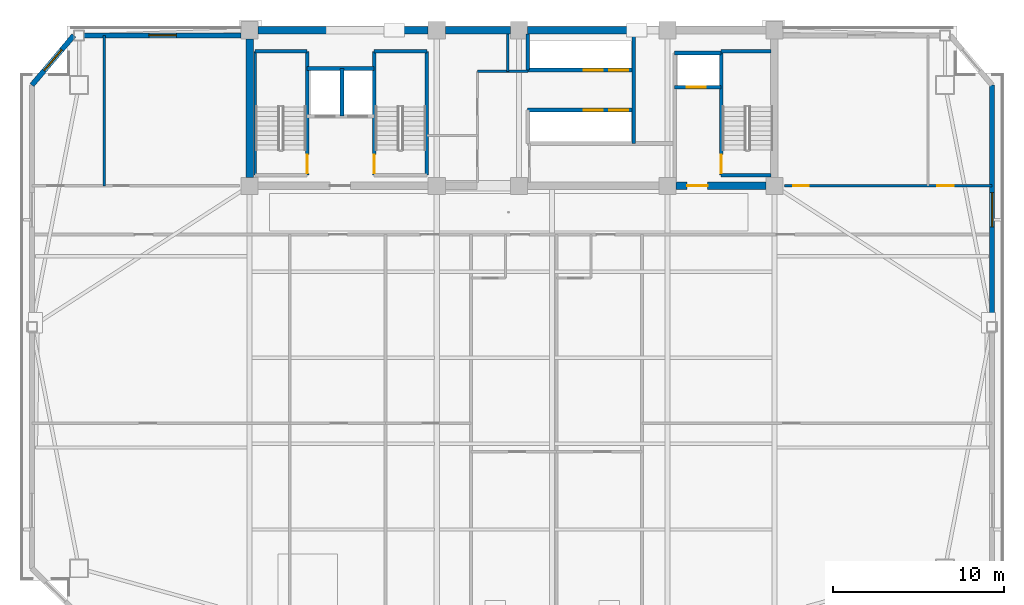
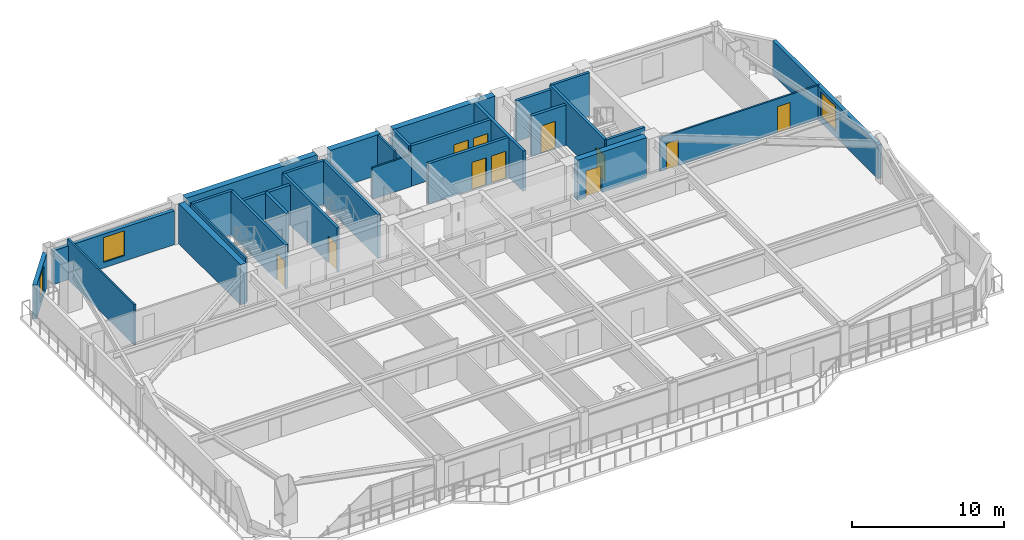
# One storey, part 10 of 17: 29 walls, 11 doors, 3 windows, 14 openings.
"""IFC4 building model written with IfcOpenShell, lengths in metres."""

from ifc_helpers import new_model, si_unit, direction, frame, frame_2d, origin, place, context, subcontext, project, spatial, rectangle, extrude, source, transform, mapped, material, layer, layer_set, type_object, element, fill, save


model = new_model("IFC4")

# Units and contexts
model_context = context("Model", 3, precision=1e-05, world=origin(), true_north=direction((0.0, 1.0)))
body_context = subcontext(model_context, "Body", "Model", "MODEL_VIEW")
ifc_project = project(units=[si_unit("LENGTHUNIT", "METRE"), si_unit("AREAUNIT", "SQUARE_METRE"), si_unit("VOLUMEUNIT", "CUBIC_METRE"), si_unit("PLANEANGLEUNIT", "RADIAN"), si_unit("MASSUNIT", "GRAM", prefix="KILO")], contexts=[model_context])

# Site, building, storey
site_placement = place(None, origin())
site = spatial("IfcSite", under=ifc_project, at=site_placement, CompositionType="ELEMENT")
building_placement = place(site_placement, origin())
building = spatial("IfcBuilding", under=site, at=building_placement, Name="Giltprow Tower", CompositionType="ELEMENT")
storey_placement = place(building_placement, frame((0.0, 0.0, 216.699951171875)))
storey = spatial("IfcBuildingStorey", under=building, at=storey_placement, Name="L55", CompositionType="ELEMENT", Elevation=216.699951171875)

# Wall, opening, window
ifc_material_1 = material(Name="Precast concrete C40", Category="concrete")
ifc_layer_1 = layer(ifc_material_1, 0.300048828125, Name="Precast concrete C40")
ifc_layer_set_1 = layer_set([ifc_layer_1], Name="Precast concrete C40")
wall_type_1 = type_object("IfcWallType", Name="EW-NOTCH-CHAMFER-300", PredefinedType="SOLIDWALL", material=ifc_layer_set_1)
wall_1_placement = place(storey_placement, frame((9.572021484375, 46.25, 0.0), z_axis=(0.0, 0.0, 1.0), x_axis=(-0.645455651603, -0.763797749286, 0.0)))
wall_1 = element("IfcWall", 1, at=wall_1_placement, inside=storey, type_object=wall_type_1, Name="L55 Corner Notch Wall NW", PredefinedType="SOLIDWALL", context=body_context, shape_type="SweptSolid", body=[
    extrude(rectangle(XDim=3.802001953125, YDim=0.300048828125, at=frame_2d((1.90087890625, 0.0))), origin(), (0.0, 0.0, 1.0), 2.719970703125),
])
opening_1_placement = place(wall_1_placement, frame((1.10107421875, 0.0, 0.449951171875)))
opening_1 = element("IfcOpeningElement", 2, at=opening_1_placement, cuts=wall_1, Name="Opening WN17", PredefinedType="OPENING", context=body_context, shape_type="SweptSolid", body=[
    extrude(rectangle(XDim=1.60009765625, YDim=2.0, at=frame_2d((0.800048828125, 1.0))), frame((0.0, 0.159912109375, 0.0), z_axis=(0.0, -1.0, 0.0), x_axis=(1.0, 0.0, 0.0)), (0.0, 0.0, 1.0), 0.320068359375),
])
ifc_material_2 = material(Name="Insulated glass", Category="glass")
window_type_1 = type_object("IfcWindowType", Name="WN-COR-1600x2000", PartitioningType="SINGLE_PANEL", PredefinedType="WINDOW", material=ifc_material_2)
shared_shape_1 = source(origin(), body_context, "Body", "SweptSolid", [
    extrude(rectangle(XDim=1.60009765625, YDim=2.0, at=frame_2d((0.800048828125, 1.0))), frame((0.0, 0.030029296875, 0.0), z_axis=(0.0, -1.0, 0.0), x_axis=(1.0, 0.0, 0.0)), (0.0, 0.0, 1.0), 0.06005859375),
])
window_1_placement = place(opening_1_placement, origin())
window_1 = element("IfcWindow", 3, at=window_1_placement, inside=storey, type_object=window_type_1, Name="L55 Corner Notch Window NW", OverallHeight=2.0, OverallWidth=1.60009765625, PartitioningType="SINGLE_PANEL", PredefinedType="WINDOW", context=body_context, shape_type="MappedRepresentation", body=[
    mapped(shared_shape_1, transform((0.0, 0.0, 0.0), x_axis=(1.0, 0.0, 0.0), y_axis=(0.0, 1.0, 0.0), z_axis=(0.0, 0.0, 1.0), scale=1.0)),
])
fill(opening_1, window_1)

ifc_layer_2 = layer(ifc_material_1, 0.280029296875, Name="Precast concrete C40")
ifc_layer_set_2 = layer_set([ifc_layer_2], Name="Precast concrete C40")
wall_type_2 = type_object("IfcWallType", Name="EW-TOW-BRONZE-280", PredefinedType="SOLIDWALL", material=ifc_layer_set_2)
wall_2_placement = place(storey_placement, frame((63.281982421875, 29.509033203125, 0.0), z_axis=(0.0, 0.0, 1.0), x_axis=(0.0, 1.0, 0.0)))
wall_2 = element("IfcWall", 4, at=wall_2_placement, inside=storey, type_object=wall_type_2, Name="L55 E Wing Masonry Wall 2", PredefinedType="SOLIDWALL", context=body_context, shape_type="SweptSolid", body=[
    extrude(rectangle(XDim=13.8369140625, YDim=0.280029296875, at=frame_2d((6.91845703125, 0.0))), origin(), (0.0, 0.0, 1.0), 2.719970703125),
])
opening_2_placement = place(wall_2_placement, frame((5.535888671875, 0.0, 0.449951171875)))
opening_2 = element("IfcOpeningElement", 5, at=opening_2_placement, cuts=wall_2, Name="Opening WN21", PredefinedType="OPENING", context=body_context, shape_type="SweptSolid", body=[
    extrude(rectangle(XDim=2.0, YDim=2.0, at=frame_2d((1.0, 1.0))), frame((0.0, 0.14990234375, 0.0), z_axis=(0.0, -1.0, 0.0), x_axis=(1.0, 0.0, 0.0)), (0.0, 0.0, 1.0), 0.300048828125),
])
window_type_2 = type_object("IfcWindowType", Name="WN-HTL-2000x2000", PartitioningType="DOUBLE_PANEL_VERTICAL", PredefinedType="WINDOW", material=ifc_material_2)
shared_shape_2 = source(origin(), body_context, "Body", "SweptSolid", [
    extrude(rectangle(XDim=2.0, YDim=2.0, at=frame_2d((1.0, 1.0))), frame((0.0, 0.030029296875, 0.0), z_axis=(0.0, -1.0, 0.0), x_axis=(1.0, 0.0, 0.0)), (0.0, 0.0, 1.0), 0.06005859375),
])
window_2_placement = place(opening_2_placement, origin())
window_2 = element("IfcWindow", 6, at=window_2_placement, inside=storey, type_object=window_type_2, Name="L55 E Wing Window 2-1", OverallHeight=2.0, OverallWidth=2.0, PartitioningType="SINGLE_PANEL", PredefinedType="WINDOW", context=body_context, shape_type="MappedRepresentation", body=[
    mapped(shared_shape_2, transform((0.0, 0.0, 0.0), x_axis=(1.0, 0.0, 0.0), y_axis=(0.0, 1.0, 0.0), z_axis=(0.0, 0.0, 1.0), scale=1.0)),
])
fill(opening_2, window_2)

wall_3_placement = place(storey_placement, frame((10.172119140625, 46.25, 0.0), z_axis=(0.0, 0.0, 1.0), x_axis=(1.0, 0.0, 0.0)))
wall_3 = element("IfcWall", 7, at=wall_3_placement, inside=storey, type_object=wall_type_2, Name="L55 North-West Wing Wall", PredefinedType="SOLIDWALL", context=body_context, shape_type="SweptSolid", body=[
    extrude(rectangle(XDim=9.177978515625, YDim=0.280029296875, at=frame_2d((4.5888671875, 0.0))), origin(), (0.0, 0.0, 1.0), 2.719970703125),
])
opening_3_placement = place(wall_3_placement, frame((3.7890625, 0.0, 0.449951171875)))
opening_3 = element("IfcOpeningElement", 8, at=opening_3_placement, cuts=wall_3, Name="Opening WN17", PredefinedType="OPENING", context=body_context, shape_type="SweptSolid", body=[
    extrude(rectangle(XDim=1.60009765625, YDim=2.0, at=frame_2d((0.800048828125, 1.0))), frame((0.0, 0.14990234375, 0.0), z_axis=(0.0, -1.0, 0.0), x_axis=(1.0, 0.0, 0.0)), (0.0, 0.0, 1.0), 0.300048828125),
])
window_3_placement = place(opening_3_placement, origin())
window_3 = element("IfcWindow", 9, at=window_3_placement, inside=storey, type_object=window_type_1, Name="L55 North-West Window", OverallHeight=2.0, OverallWidth=1.60009765625, PartitioningType="SINGLE_PANEL", PredefinedType="WINDOW", context=body_context, shape_type="MappedRepresentation", body=[
    mapped(shared_shape_1, transform((0.0, 0.0, 0.0), x_axis=(1.0, 0.0, 0.0), y_axis=(0.0, 1.0, 0.0), z_axis=(0.0, 0.0, 1.0), scale=1.0)),
])
fill(opening_3, window_3)

# Walls
ifc_material_3 = material(Name="Concrete C40", Category="concrete")
ifc_layer_3 = layer(ifc_material_3, 0.219970703125, Name="Concrete C40")
ifc_layer_set_3 = layer_set([ifc_layer_3], Name="Concrete C40")
wall_type_3 = type_object("IfcWallType", Name="IW-SHAFT-220", PredefinedType="SOLIDWALL", material=ifc_layer_set_3)
wall_4_placement = place(storey_placement, frame((25.260009765625, 41.52001953125, 0.0), z_axis=(0.0, 0.0, 1.0), x_axis=(0.0, 1.0, 0.0)))
element("IfcWall", 10, at=wall_4_placement, inside=storey, type_object=wall_type_3, Name="L55 FFL1-SVL1 Shaft Divider", PredefinedType="SOLIDWALL", context=body_context, shape_type="SweptSolid", body=[
    extrude(rectangle(XDim=2.800048828125, YDim=0.219970703125, at=frame_2d((1.39990234375, 0.0))), origin(), (0.0, 0.0, 1.0), 3.239990234375),
])
wall_5_placement = place(storey_placement, frame((23.219970703125, 44.320068359375, 0.0), z_axis=(0.0, 0.0, 1.0), x_axis=(1.0, 0.0, 0.0)))
element("IfcWall", 11, at=wall_5_placement, inside=storey, type_object=wall_type_3, Name="L55 FFL1-SVL1 Back Shaft Wall", PredefinedType="SOLIDWALL", context=body_context, shape_type="SweptSolid", body=[
    extrude(rectangle(XDim=3.919921875, YDim=0.219970703125, at=frame_2d((1.9599609375, 0.0))), origin(), (0.0, 0.0, 1.0), 3.239990234375),
])

# Wall, opening, door
wall_6_placement = place(storey_placement, frame((44.719970703125, 43.219970703125, 0.0), z_axis=(0.0, 0.0, 1.0), x_axis=(1.0, 0.0, 0.0)))
wall_6 = element("IfcWall", 12, at=wall_6_placement, inside=storey, type_object=wall_type_3, Name="L55 FFL2 Front Shaft Wall", PredefinedType="SOLIDWALL", context=body_context, shape_type="SweptSolid", body=[
    extrude(rectangle(XDim=2.719970703125, YDim=0.219970703125, at=frame_2d((1.35986328125, 0.0))), origin(), (0.0, 0.0, 1.0), 3.239990234375),
])
opening_4_placement = place(wall_6_placement, frame((0.699951171875, 0.0, 0.0)))
opening_4 = element("IfcOpeningElement", 13, at=opening_4_placement, cuts=wall_6, Name="Opening LD-11", PredefinedType="OPENING", context=body_context, shape_type="SweptSolid", body=[
    extrude(rectangle(XDim=1.10009765625, YDim=2.199951171875, at=frame_2d((0.550048828125, 1.10009765625))), frame((0.0, 0.119873046875, 0.0), z_axis=(0.0, -1.0, 0.0), x_axis=(1.0, 0.0, 0.0)), (0.0, 0.0, 1.0), 0.239990234375),
])
ifc_material_4 = material(Name="Stainless steel", Category="steel")
door_type_1 = type_object("IfcDoorType", Name="DR-LIFT-LD1100", OperationType="SLIDING_TO_LEFT", PredefinedType="DOOR", material=ifc_material_4)
shared_shape_3 = source(origin(), body_context, "Body", "SweptSolid", [
    extrude(rectangle(XDim=1.10009765625, YDim=2.199951171875, at=frame_2d((0.550048828125, 1.10009765625))), frame((0.0, 0.02490234375, 0.0), z_axis=(0.0, -1.0, 0.0), x_axis=(1.0, 0.0, 0.0)), (0.0, 0.0, 1.0), 0.050048828125),
])
door_1_placement = place(opening_4_placement, origin())
door_1 = element("IfcDoor", 14, at=door_1_placement, inside=storey, type_object=door_type_1, Name="L55 FFL2 Landing Door", OperationType="SLIDING_TO_LEFT", OverallHeight=2.199951171875, OverallWidth=1.10009765625, PredefinedType="DOOR", context=body_context, shape_type="MappedRepresentation", body=[
    mapped(shared_shape_3, transform((0.0, 0.0, 0.0), x_axis=(1.0, 0.0, 0.0), y_axis=(0.0, 1.0, 0.0), z_axis=(0.0, 0.0, 1.0), scale=1.0)),
])
fill(opening_4, door_1)

# Wall
wall_7_placement = place(storey_placement, frame((44.719970703125, 45.219970703125, 0.0), z_axis=(0.0, 0.0, 1.0), x_axis=(1.0, 0.0, 0.0)))
element("IfcWall", 15, at=wall_7_placement, inside=storey, type_object=wall_type_3, Name="L55 FFL2 Back Shaft Wall", PredefinedType="SOLIDWALL", context=body_context, shape_type="SweptSolid", body=[
    extrude(rectangle(XDim=2.719970703125, YDim=0.219970703125, at=frame_2d((1.35986328125, 0.0))), origin(), (0.0, 0.0, 1.0), 3.239990234375),
])

# Wall, openings, doors
wall_8_placement = place(storey_placement, frame((36.1201171875, 44.219970703125, 0.0), z_axis=(0.0, 0.0, 1.0), x_axis=(1.0, 0.0, 0.0)))
wall_8 = element("IfcWall", 16, at=wall_8_placement, inside=storey, type_object=wall_type_3, Name="L55 Mid-Rise Lift Shaft Front Wall N", PredefinedType="SOLIDWALL", context=body_context, shape_type="SweptSolid", body=[
    extrude(rectangle(XDim=6.199951171875, YDim=0.219970703125, at=frame_2d((3.10009765625, 0.0))), origin(), (0.0, 0.0, 1.0), 3.239990234375),
])
opening_5_placement = place(wall_8_placement, frame((3.280029296875, 0.0, 0.0)))
opening_5 = element("IfcOpeningElement", 17, at=opening_5_placement, cuts=wall_8, Name="Opening LD-11", PredefinedType="OPENING", context=body_context, shape_type="SweptSolid", body=[
    extrude(rectangle(XDim=1.10009765625, YDim=2.199951171875, at=frame_2d((0.550048828125, 1.10009765625))), frame((0.0, 0.119873046875, 0.0), z_axis=(0.0, -1.0, 0.0), x_axis=(1.0, 0.0, 0.0)), (0.0, 0.0, 1.0), 0.239990234375),
])
opening_6_placement = place(wall_8_placement, frame((4.77001953125, 0.0, 0.0)))
opening_6 = element("IfcOpeningElement", 18, at=opening_6_placement, cuts=wall_8, Name="Opening LD-11", PredefinedType="OPENING", context=body_context, shape_type="SweptSolid", body=[
    extrude(rectangle(XDim=1.10009765625, YDim=2.199951171875, at=frame_2d((0.550048828125, 1.10009765625))), frame((0.0, 0.119873046875, 0.0), z_axis=(0.0, -1.0, 0.0), x_axis=(1.0, 0.0, 0.0)), (0.0, 0.0, 1.0), 0.239990234375),
])
door_2_placement = place(opening_5_placement, origin())
door_2 = element("IfcDoor", 19, at=door_2_placement, inside=storey, type_object=door_type_1, Name="L55 PL-M1 Landing Door", OperationType="SLIDING_TO_LEFT", OverallHeight=2.199951171875, OverallWidth=1.10009765625, PredefinedType="DOOR", context=body_context, shape_type="MappedRepresentation", body=[
    mapped(shared_shape_3, transform((0.0, 0.0, 0.0), x_axis=(1.0, 0.0, 0.0), y_axis=(0.0, 1.0, 0.0), z_axis=(0.0, 0.0, 1.0), scale=1.0)),
])
fill(opening_5, door_2)
door_3_placement = place(opening_6_placement, origin())
door_3 = element("IfcDoor", 20, at=door_3_placement, inside=storey, type_object=door_type_1, Name="L55 PL-M2 Landing Door", OperationType="SLIDING_TO_LEFT", OverallHeight=2.199951171875, OverallWidth=1.10009765625, PredefinedType="DOOR", context=body_context, shape_type="MappedRepresentation", body=[
    mapped(shared_shape_3, transform((0.0, 0.0, 0.0), x_axis=(1.0, 0.0, 0.0), y_axis=(0.0, 1.0, 0.0), z_axis=(0.0, 0.0, 1.0), scale=1.0)),
])
fill(opening_6, door_3)

wall_9_placement = place(storey_placement, frame((36.1201171875, 41.8798828125, 0.0), z_axis=(0.0, 0.0, 1.0), x_axis=(1.0, 0.0, 0.0)))
wall_9 = element("IfcWall", 21, at=wall_9_placement, inside=storey, type_object=wall_type_3, Name="L55 Mid-Rise Lift Shaft Front Wall S", PredefinedType="SOLIDWALL", context=body_context, shape_type="SweptSolid", body=[
    extrude(rectangle(XDim=6.199951171875, YDim=0.219970703125, at=frame_2d((3.10009765625, 0.0))), origin(), (0.0, 0.0, 1.0), 3.239990234375),
])
opening_7_placement = place(wall_9_placement, frame((3.280029296875, 0.0, 0.0)))
opening_7 = element("IfcOpeningElement", 22, at=opening_7_placement, cuts=wall_9, Name="Opening LD-11", PredefinedType="OPENING", context=body_context, shape_type="SweptSolid", body=[
    extrude(rectangle(XDim=1.10009765625, YDim=2.199951171875, at=frame_2d((0.550048828125, 1.10009765625))), frame((0.0, 0.119873046875, 0.0), z_axis=(0.0, -1.0, 0.0), x_axis=(1.0, 0.0, 0.0)), (0.0, 0.0, 1.0), 0.239990234375),
])
opening_8_placement = place(wall_9_placement, frame((4.77001953125, 0.0, 0.0)))
opening_8 = element("IfcOpeningElement", 23, at=opening_8_placement, cuts=wall_9, Name="Opening LD-11", PredefinedType="OPENING", context=body_context, shape_type="SweptSolid", body=[
    extrude(rectangle(XDim=1.10009765625, YDim=2.199951171875, at=frame_2d((0.550048828125, 1.10009765625))), frame((0.0, 0.119873046875, 0.0), z_axis=(0.0, -1.0, 0.0), x_axis=(1.0, 0.0, 0.0)), (0.0, 0.0, 1.0), 0.239990234375),
])
door_4_placement = place(opening_7_placement, origin())
door_4 = element("IfcDoor", 24, at=door_4_placement, inside=storey, type_object=door_type_1, Name="L55 PL-M3 Landing Door", OperationType="SLIDING_TO_LEFT", OverallHeight=2.199951171875, OverallWidth=1.10009765625, PredefinedType="DOOR", context=body_context, shape_type="MappedRepresentation", body=[
    mapped(shared_shape_3, transform((0.0, 0.0, 0.0), x_axis=(1.0, 0.0, 0.0), y_axis=(0.0, 1.0, 0.0), z_axis=(0.0, 0.0, 1.0), scale=1.0)),
])
fill(opening_7, door_4)
door_5_placement = place(opening_8_placement, origin())
door_5 = element("IfcDoor", 25, at=door_5_placement, inside=storey, type_object=door_type_1, Name="L55 PL-M4 Landing Door", OperationType="SLIDING_TO_LEFT", OverallHeight=2.199951171875, OverallWidth=1.10009765625, PredefinedType="DOOR", context=body_context, shape_type="MappedRepresentation", body=[
    mapped(shared_shape_3, transform((0.0, 0.0, 0.0), x_axis=(1.0, 0.0, 0.0), y_axis=(0.0, 1.0, 0.0), z_axis=(0.0, 0.0, 1.0), scale=1.0)),
])
fill(opening_8, door_5)

# Walls
wall_10_placement = place(storey_placement, frame((42.320068359375, 39.919921875, 0.0), z_axis=(0.0, 0.0, 1.0), x_axis=(0.0, 1.0, 0.0)))
element("IfcWall", 26, at=wall_10_placement, inside=storey, type_object=wall_type_3, Name="L55 Mid-Rise Lift Bank East Closure", PredefinedType="SOLIDWALL", context=body_context, shape_type="SweptSolid", body=[
    extrude(rectangle(XDim=6.425048828125, YDim=0.219970703125, at=frame_2d((3.21240234375, 0.0))), origin(), (0.0, 0.0, 1.0), 3.239990234375),
])
wall_11_placement = place(storey_placement, frame((36.1201171875, 44.219970703125, 0.0), z_axis=(0.0, 0.0, 1.0), x_axis=(0.0, 1.0, 0.0)))
element("IfcWall", 27, at=wall_11_placement, inside=storey, type_object=wall_type_3, Name="L55 Mid-Rise North Lift West Closure", PredefinedType="SOLIDWALL", context=body_context, shape_type="SweptSolid", body=[
    extrude(rectangle(XDim=2.125, YDim=0.219970703125, at=frame_2d((1.0625, 0.0))), origin(), (0.0, 0.0, 1.0), 3.239990234375),
])
ifc_material_5 = material(Name="Concrete C45", Category="concrete")
ifc_layer_4 = layer(ifc_material_5, 0.139892578125, Name="Concrete C45")
ifc_layer_set_4 = layer_set([ifc_layer_4], Name="Concrete C45")
wall_type_4 = type_object("IfcWallType", Name="IW-STAIR-140", PredefinedType="SOLIDWALL", material=ifc_layer_set_4)
wall_12_placement = place(storey_placement, frame((20.169921875, 38.070068359375, 0.0), z_axis=(0.0, 0.0, 1.0), x_axis=(0.0, 1.0, 0.0)))
element("IfcWall", 28, at=wall_12_placement, inside=storey, type_object=wall_type_4, Name="L55 Stair ST-1 West Bearing Wall", PredefinedType="SOLIDWALL", context=body_context, shape_type="SweptSolid", body=[
    extrude(rectangle(XDim=7.25, YDim=0.139892578125, at=frame_2d((3.625, 0.0))), origin(), (0.0, 0.0, 1.0), 3.5),
])

# Wall, opening, door
ifc_layer_5 = layer(ifc_material_3, 0.199951171875, Name="Concrete C40")
ifc_layer_set_5 = layer_set([ifc_layer_5], Name="Concrete C40")
wall_type_5 = type_object("IfcWallType", Name="IW-STAIR-200", PredefinedType="SOLIDWALL", material=ifc_layer_set_5)
wall_13_placement = place(storey_placement, frame((23.219970703125, 38.070068359375, 0.0), z_axis=(0.0, 0.0, 1.0), x_axis=(0.0, 1.0, 0.0)))
wall_13 = element("IfcWall", 29, at=wall_13_placement, inside=storey, type_object=wall_type_5, Name="L55 Stair ST-1 East Bearing Wall", PredefinedType="SOLIDWALL", context=body_context, shape_type="SweptSolid", body=[
    extrude(rectangle(XDim=7.25, YDim=0.199951171875, at=frame_2d((3.625, 0.0))), origin(), (0.0, 0.0, 1.0), 3.5),
])
opening_9_placement = place(wall_13_placement, frame((0.110107421875, 0.0, 0.0)))
opening_9 = element("IfcOpeningElement", 30, at=opening_9_placement, cuts=wall_13, Name="Opening ID33", PredefinedType="OPENING", context=body_context, shape_type="SweptSolid", body=[
    extrude(rectangle(XDim=1.10009765625, YDim=2.14990234375, at=frame_2d((0.550048828125, 1.074951171875))), frame((0.0, 0.10986328125, 0.0), z_axis=(0.0, -1.0, 0.0), x_axis=(1.0, 0.0, 0.0)), (0.0, 0.0, 1.0), 0.219970703125),
])
ifc_material_6 = material(Name="Steel fire leaf", Category="steel")
door_type_2 = type_object("IfcDoorType", Name="DR-STAIR-1100", OperationType="SINGLE_SWING_LEFT", PredefinedType="DOOR", material=ifc_material_6)
shared_shape_4 = source(origin(), body_context, "Body", "SweptSolid", [
    extrude(rectangle(XDim=1.10009765625, YDim=2.14990234375, at=frame_2d((0.550048828125, 1.074951171875))), frame((0.0, 0.02490234375, 0.0), z_axis=(0.0, -1.0, 0.0), x_axis=(1.0, 0.0, 0.0)), (0.0, 0.0, 1.0), 0.050048828125),
])
door_6_placement = place(opening_9_placement, origin())
door_6 = element("IfcDoor", 31, at=door_6_placement, inside=storey, type_object=door_type_2, Name="L55 Stair ST-1 Fire Door", OperationType="SINGLE_SWING_RIGHT", OverallHeight=2.14990234375, OverallWidth=1.10009765625, PredefinedType="DOOR", context=body_context, shape_type="MappedRepresentation", body=[
    mapped(shared_shape_4, transform((0.0, 0.0, 0.0), x_axis=(1.0, 0.0, 0.0), y_axis=(0.0, 1.0, 0.0), z_axis=(0.0, 0.0, 1.0), scale=1.0)),
])
fill(opening_9, door_6)

# Wall
wall_14_placement = place(storey_placement, frame((20.169921875, 45.320068359375, 0.0), z_axis=(0.0, 0.0, 1.0), x_axis=(1.0, 0.0, 0.0)))
element("IfcWall", 32, at=wall_14_placement, inside=storey, type_object=wall_type_5, Name="L55 Stair ST-1 North Bearing Wall", PredefinedType="SOLIDWALL", context=body_context, shape_type="SweptSolid", body=[
    extrude(rectangle(XDim=3.050048828125, YDim=0.199951171875, at=frame_2d((1.52490234375, 0.0))), origin(), (0.0, 0.0, 1.0), 3.5),
])

# Wall, opening, door
wall_15_placement = place(storey_placement, frame((27.139892578125, 38.070068359375, 0.0), z_axis=(0.0, 0.0, 1.0), x_axis=(0.0, 1.0, 0.0)))
wall_15 = element("IfcWall", 33, at=wall_15_placement, inside=storey, type_object=wall_type_5, Name="L55 Stair ST-2 West Bearing Wall", PredefinedType="SOLIDWALL", context=body_context, shape_type="SweptSolid", body=[
    extrude(rectangle(XDim=7.25, YDim=0.199951171875, at=frame_2d((3.625, 0.0))), origin(), (0.0, 0.0, 1.0), 3.5),
])
opening_10_placement = place(wall_15_placement, frame((0.110107421875, 0.0, 0.0)))
opening_10 = element("IfcOpeningElement", 34, at=opening_10_placement, cuts=wall_15, Name="Opening ID33", PredefinedType="OPENING", context=body_context, shape_type="SweptSolid", body=[
    extrude(rectangle(XDim=1.10009765625, YDim=2.14990234375, at=frame_2d((0.550048828125, 1.074951171875))), frame((0.0, 0.10986328125, 0.0), z_axis=(0.0, -1.0, 0.0), x_axis=(1.0, 0.0, 0.0)), (0.0, 0.0, 1.0), 0.219970703125),
])
door_7_placement = place(opening_10_placement, origin())
door_7 = element("IfcDoor", 35, at=door_7_placement, inside=storey, type_object=door_type_2, Name="L55 Stair ST-2 Fire Door", OperationType="SINGLE_SWING_LEFT", OverallHeight=2.14990234375, OverallWidth=1.10009765625, PredefinedType="DOOR", context=body_context, shape_type="MappedRepresentation", body=[
    mapped(shared_shape_4, transform((0.0, 0.0, 0.0), x_axis=(1.0, 0.0, 0.0), y_axis=(0.0, 1.0, 0.0), z_axis=(0.0, 0.0, 1.0), scale=1.0)),
])
fill(opening_10, door_7)

# Walls
wall_16_placement = place(storey_placement, frame((30.219970703125, 38.070068359375, 0.0), z_axis=(0.0, 0.0, 1.0), x_axis=(0.0, 1.0, 0.0)))
element("IfcWall", 36, at=wall_16_placement, inside=storey, type_object=wall_type_5, Name="L55 Stair ST-2 East Bearing Wall", PredefinedType="SOLIDWALL", context=body_context, shape_type="SweptSolid", body=[
    extrude(rectangle(XDim=7.25, YDim=0.199951171875, at=frame_2d((3.625, 0.0))), origin(), (0.0, 0.0, 1.0), 3.5),
])
wall_17_placement = place(storey_placement, frame((27.139892578125, 45.320068359375, 0.0), z_axis=(0.0, 0.0, 1.0), x_axis=(1.0, 0.0, 0.0)))
element("IfcWall", 37, at=wall_17_placement, inside=storey, type_object=wall_type_5, Name="L55 Stair ST-2 North Bearing Wall", PredefinedType="SOLIDWALL", context=body_context, shape_type="SweptSolid", body=[
    extrude(rectangle(XDim=3.080078125, YDim=0.199951171875, at=frame_2d((1.5400390625, 0.0))), origin(), (0.0, 0.0, 1.0), 3.5),
])

# Wall, opening, door
wall_18_placement = place(storey_placement, frame((47.43994140625, 38.070068359375, 0.0), z_axis=(0.0, 0.0, 1.0), x_axis=(0.0, 1.0, 0.0)))
wall_18 = element("IfcWall", 38, at=wall_18_placement, inside=storey, type_object=wall_type_5, Name="L55 Stair ST-3 West Bearing Wall", PredefinedType="SOLIDWALL", context=body_context, shape_type="SweptSolid", body=[
    extrude(rectangle(XDim=7.25, YDim=0.199951171875, at=frame_2d((3.625, 0.0))), origin(), (0.0, 0.0, 1.0), 3.5),
])
opening_11_placement = place(wall_18_placement, frame((0.110107421875, 0.0, 0.0)))
opening_11 = element("IfcOpeningElement", 39, at=opening_11_placement, cuts=wall_18, Name="Opening ID33", PredefinedType="OPENING", context=body_context, shape_type="SweptSolid", body=[
    extrude(rectangle(XDim=1.10009765625, YDim=2.14990234375, at=frame_2d((0.550048828125, 1.074951171875))), frame((0.0, 0.10986328125, 0.0), z_axis=(0.0, -1.0, 0.0), x_axis=(1.0, 0.0, 0.0)), (0.0, 0.0, 1.0), 0.219970703125),
])
door_8_placement = place(opening_11_placement, origin())
door_8 = element("IfcDoor", 40, at=door_8_placement, inside=storey, type_object=door_type_2, Name="L55 Stair ST-3 Fire Door", OperationType="SINGLE_SWING_RIGHT", OverallHeight=2.14990234375, OverallWidth=1.10009765625, PredefinedType="DOOR", context=body_context, shape_type="MappedRepresentation", body=[
    mapped(shared_shape_4, transform((0.0, 0.0, 0.0), x_axis=(1.0, 0.0, 0.0), y_axis=(0.0, 1.0, 0.0), z_axis=(0.0, 0.0, 1.0), scale=1.0)),
])
fill(opening_11, door_8)

# Walls
for number, where, z_axis, x_axis, name in (
    (41, (47.43994140625, 45.320068359375, 0.0), (0.0, 0.0, 1.0), (1.0, 0.0, 0.0), "L55 Stair ST-3 North Bearing Wall"),
    (42, (47.43994140625, 38.070068359375, 0.0), (0.0, 0.0, 1.0), (1.0, 0.0, 0.0), "L55 Stair ST-3 South Bearing Wall"),
):
    element("IfcWall", number, at=place(storey_placement, frame(where, z_axis=z_axis, x_axis=x_axis)), inside=storey, type_object=wall_type_5, Name=name, PredefinedType="SOLIDWALL", context=body_context, shape_type="SweptSolid", body=[
        extrude(rectangle(XDim=2.905029296875, YDim=0.199951171875, at=frame_2d((1.45263671875, 0.0))), origin(), (0.0, 0.0, 1.0), 3.5),
    ])
ifc_material_7 = material(Name="Concrete C30", Category="concrete")
ifc_layer_6 = layer(ifc_material_7, 0.1298828125, Name="Concrete C30")
ifc_layer_set_6 = layer_set([ifc_layer_6], Name="Concrete C30")
wall_type_6 = type_object("IfcWallType", Name="IW-WET-130", PredefinedType="PARTITIONING", material=ifc_layer_set_6)
wall_19_placement = place(storey_placement, frame((34.949951171875, 44.14990234375, 0.0), z_axis=(0.0, 0.0, 1.0), x_axis=(0.0, 1.0, 0.0)))
element("IfcWall", 43, at=wall_19_placement, inside=storey, type_object=wall_type_6, Name="L55 Reclaimed North Pocket East Wall", PredefinedType="PARTITIONING", context=body_context, shape_type="SweptSolid", body=[
    extrude(rectangle(XDim=2.195068359375, YDim=0.1298828125, at=frame_2d((1.09765625, 0.0))), origin(), (0.0, 0.0, 1.0), 3.239990234375),
])
wall_20_placement = place(storey_placement, frame((33.179931640625, 44.14990234375, 0.0), z_axis=(0.0, 0.0, 1.0), x_axis=(1.0, 0.0, 0.0)))
element("IfcWall", 44, at=wall_20_placement, inside=storey, type_object=wall_type_6, Name="L55 Reclaimed North Pocket South Wall", PredefinedType="PARTITIONING", context=body_context, shape_type="SweptSolid", body=[
    extrude(rectangle(XDim=2.969970703125, YDim=0.1298828125, at=frame_2d((1.48486328125, 0.0))), origin(), (0.0, 0.0, 1.0), 2.525146484375),
])
wall_21_placement = place(storey_placement, frame((11.341064453125, 37.449951171875, 0.0), z_axis=(0.0, 0.0, 1.0), x_axis=(0.0, 1.0, 0.0)))
element("IfcWall", 45, at=wall_21_placement, inside=storey, type_object=wall_type_6, Name="L55 NW Wing Divider", PredefinedType="PARTITIONING", context=body_context, shape_type="SweptSolid", body=[
    extrude(rectangle(XDim=8.800048828125, YDim=0.1298828125, at=frame_2d((4.39990234375, 0.0))), origin(), (0.0, 0.0, 1.0), 3.239990234375),
])

# Wall, openings, doors
wall_22_placement = place(storey_placement, frame((51.14990234375, 37.449951171875, 0.0), z_axis=(0.0, 0.0, 1.0), x_axis=(1.0, 0.0, 0.0)))
wall_22 = element("IfcWall", 46, at=wall_22_placement, inside=storey, type_object=wall_type_6, Name="L55 NE Wing South Wall", PredefinedType="PARTITIONING", context=body_context, shape_type="SweptSolid", body=[
    extrude(rectangle(XDim=12.132080078125, YDim=0.1298828125, at=frame_2d((6.06591796875, 0.0))), origin(), (0.0, 0.0, 1.0), 2.72509765625),
])
opening_12_placement = place(wall_22_placement, frame((0.5, 0.0, 0.0)))
opening_12 = element("IfcOpeningElement", 47, at=opening_12_placement, cuts=wall_22, Name="Opening ID15", PredefinedType="OPENING", context=body_context, shape_type="SweptSolid", body=[
    extrude(rectangle(XDim=0.89990234375, YDim=2.10009765625, at=frame_2d((0.449951171875, 1.050048828125))), frame((0.0, 0.074951171875, 0.0), z_axis=(0.0, -1.0, 0.0), x_axis=(1.0, 0.0, 0.0)), (0.0, 0.0, 1.0), 0.14990234375),
])
opening_13_placement = place(wall_22_placement, frame((8.931884765625, 0.0, 0.0)))
opening_13 = element("IfcOpeningElement", 48, at=opening_13_placement, cuts=wall_22, Name="Opening ID11", PredefinedType="OPENING", context=body_context, shape_type="SweptSolid", body=[
    extrude(rectangle(XDim=0.949951171875, YDim=2.10009765625, at=frame_2d((0.47509765625, 1.050048828125))), frame((0.0, 0.074951171875, 0.0), z_axis=(0.0, -1.0, 0.0), x_axis=(1.0, 0.0, 0.0)), (0.0, 0.0, 1.0), 0.14990234375),
])
ifc_material_8 = material(Name="Engineered timber", Category="wood")
door_type_3 = type_object("IfcDoorType", Name="DR-WC-900", OperationType="SINGLE_SWING_LEFT", PredefinedType="DOOR", material=ifc_material_8)
shared_shape_5 = source(origin(), body_context, "Body", "SweptSolid", [
    extrude(rectangle(XDim=0.89990234375, YDim=2.10009765625, at=frame_2d((0.449951171875, 1.050048828125))), frame((0.0, 0.02490234375, 0.0), z_axis=(0.0, -1.0, 0.0), x_axis=(1.0, 0.0, 0.0)), (0.0, 0.0, 1.0), 0.050048828125),
])
door_9_placement = place(opening_12_placement, origin())
door_9 = element("IfcDoor", 49, at=door_9_placement, inside=storey, type_object=door_type_3, Name="L55 East Wing Washroom Door", OperationType="SINGLE_SWING_RIGHT", OverallHeight=2.10009765625, OverallWidth=0.89990234375, PredefinedType="DOOR", context=body_context, shape_type="MappedRepresentation", body=[
    mapped(shared_shape_5, transform((0.0, 0.0, 0.0), x_axis=(1.0, 0.0, 0.0), y_axis=(0.0, 1.0, 0.0), z_axis=(0.0, 0.0, 1.0), scale=1.0)),
])
fill(opening_12, door_9)
door_type_4 = type_object("IfcDoorType", Name="DR-ROOM-950", OperationType="SINGLE_SWING_RIGHT", PredefinedType="DOOR", material=ifc_material_8)
shared_shape_6 = source(origin(), body_context, "Body", "SweptSolid", [
    extrude(rectangle(XDim=0.949951171875, YDim=2.10009765625, at=frame_2d((0.47509765625, 1.050048828125))), frame((0.0, 0.02490234375, 0.0), z_axis=(0.0, -1.0, 0.0), x_axis=(1.0, 0.0, 0.0)), (0.0, 0.0, 1.0), 0.050048828125),
])
door_10_placement = place(opening_13_placement, origin())
door_10 = element("IfcDoor", 50, at=door_10_placement, inside=storey, type_object=door_type_4, Name="L55 Hotel Floor Linen Store Door", OperationType="SINGLE_SWING_LEFT", OverallHeight=2.10009765625, OverallWidth=0.949951171875, PredefinedType="DOOR", context=body_context, shape_type="MappedRepresentation", body=[
    mapped(shared_shape_6, transform((0.0, 0.0, 0.0), x_axis=(1.0, 0.0, 0.0), y_axis=(0.0, 1.0, 0.0), z_axis=(0.0, 0.0, 1.0), scale=1.0)),
])
fill(opening_13, door_10)

# Walls
ifc_material_9 = material(Name="Concrete C50", Category="concrete")
ifc_layer_7 = layer(ifc_material_9, 0.449951171875, Name="Concrete C50")
ifc_layer_set_7 = layer_set([ifc_layer_7], Name="Concrete C50")
wall_type_7 = type_object("IfcWallType", Name="SW-EXT-450-C50", PredefinedType="SHEAR", material=ifc_layer_set_7)
wall_23_placement = place(storey_placement, frame((20.35009765625, 46.550048828125, 0.0), z_axis=(0.0, 0.0, 1.0), x_axis=(1.0, 0.0, 0.0)))
element("IfcWall", 51, at=wall_23_placement, inside=storey, type_object=wall_type_7, Name="L55 North Rear Core Shear Wall 1", PredefinedType="SHEAR", context=body_context, shape_type="SweptSolid", body=[
    extrude(rectangle(XDim=9.949951171875, YDim=0.449951171875, at=frame_2d((4.97509765625, 0.0))), origin(), (0.0, 0.0, 1.0), 3.239990234375),
])
wall_24_placement = place(storey_placement, frame((31.300048828125, 46.550048828125, 0.0), z_axis=(0.0, 0.0, 1.0), x_axis=(1.0, 0.0, 0.0)))
element("IfcWall", 52, at=wall_24_placement, inside=storey, type_object=wall_type_7, Name="L55 North Rear Core Shear Wall 2", PredefinedType="SHEAR", context=body_context, shape_type="SweptSolid", body=[
    extrude(rectangle(XDim=3.800048828125, YDim=0.449951171875, at=frame_2d((1.89990234375, 0.0))), origin(), (0.0, 0.0, 1.0), 3.239990234375),
])
wall_25_placement = place(storey_placement, frame((36.10009765625, 46.550048828125, 0.0), z_axis=(0.0, 0.0, 1.0), x_axis=(1.0, 0.0, 0.0)))
element("IfcWall", 53, at=wall_25_placement, inside=storey, type_object=wall_type_7, Name="L55 North Rear Core Shear Wall 3", PredefinedType="SHEAR", context=body_context, shape_type="SweptSolid", body=[
    extrude(rectangle(XDim=7.699951171875, YDim=0.449951171875, at=frame_2d((3.85009765625, 0.0))), origin(), (0.0, 0.0, 1.0), 3.239990234375),
])

# Wall, opening, door
ifc_layer_8 = layer(ifc_material_9, 0.449951171875, Name="Concrete C50")
ifc_layer_set_8 = layer_set([ifc_layer_8], Name="Concrete C50")
wall_type_8 = type_object("IfcWallType", Name="SW-INT-450-C50", PredefinedType="SHEAR", material=ifc_layer_set_8)
wall_26_placement = place(storey_placement, frame((44.800048828125, 37.449951171875, 0.0), z_axis=(0.0, 0.0, 1.0), x_axis=(1.0, 0.0, 0.0)))
wall_26 = element("IfcWall", 54, at=wall_26_placement, inside=storey, type_object=wall_type_8, Name="L55 South Rear Core Shear Wall East", PredefinedType="SHEAR", context=body_context, shape_type="SweptSolid", body=[
    extrude(rectangle(XDim=5.25, YDim=0.449951171875, at=frame_2d((2.625, 0.0))), origin(), (0.0, 0.0, 1.0), 3.239990234375),
])
opening_14_placement = place(wall_26_placement, frame((0.64990234375, 0.0, 0.0)))
opening_14 = element("IfcOpeningElement", 55, at=opening_14_placement, cuts=wall_26, Name="Opening ID19", PredefinedType="OPENING", context=body_context, shape_type="SweptSolid", body=[
    extrude(rectangle(XDim=1.199951171875, YDim=2.14990234375, at=frame_2d((0.60009765625, 1.074951171875))), frame((0.0, 0.23486328125, 0.0), z_axis=(0.0, -1.0, 0.0), x_axis=(1.0, 0.0, 0.0)), (0.0, 0.0, 1.0), 0.469970703125),
])
door_type_5 = type_object("IfcDoorType", Name="DR-FFLOBBY-1200", OperationType="SINGLE_SWING_RIGHT", PredefinedType="DOOR", material=ifc_material_6)
shared_shape_7 = source(origin(), body_context, "Body", "SweptSolid", [
    extrude(rectangle(XDim=1.199951171875, YDim=2.14990234375, at=frame_2d((0.60009765625, 1.074951171875))), frame((0.0, 0.02490234375, 0.0), z_axis=(0.0, -1.0, 0.0), x_axis=(1.0, 0.0, 0.0)), (0.0, 0.0, 1.0), 0.050048828125),
])
door_11_placement = place(opening_14_placement, origin())
door_11 = element("IfcDoor", 56, at=door_11_placement, inside=storey, type_object=door_type_5, Name="L55 East Firefighting Lobby Entry Door", OperationType="SINGLE_SWING_RIGHT", OverallHeight=2.14990234375, OverallWidth=1.199951171875, PredefinedType="DOOR", context=body_context, shape_type="MappedRepresentation", body=[
    mapped(shared_shape_7, transform((0.0, 0.0, 0.0), x_axis=(1.0, 0.0, 0.0), y_axis=(0.0, 1.0, 0.0), z_axis=(0.0, 0.0, 1.0), scale=1.0)),
])
fill(opening_14, door_11)

# Wall
wall_27_placement = place(storey_placement, frame((19.85009765625, 37.949951171875, 0.0), z_axis=(0.0, 0.0, 1.0), x_axis=(0.0, 1.0, 0.0)))
element("IfcWall", 57, at=wall_27_placement, inside=storey, type_object=wall_type_8, Name="L55 W Rear Core Shear Wall", PredefinedType="SHEAR", context=body_context, shape_type="SweptSolid", body=[
    extrude(rectangle(XDim=8.10009765625, YDim=0.449951171875, at=frame_2d((4.050048828125, 0.0))), origin(), (0.0, 0.0, 1.0), 3.239990234375),
])

save(model, "model.ifc")
